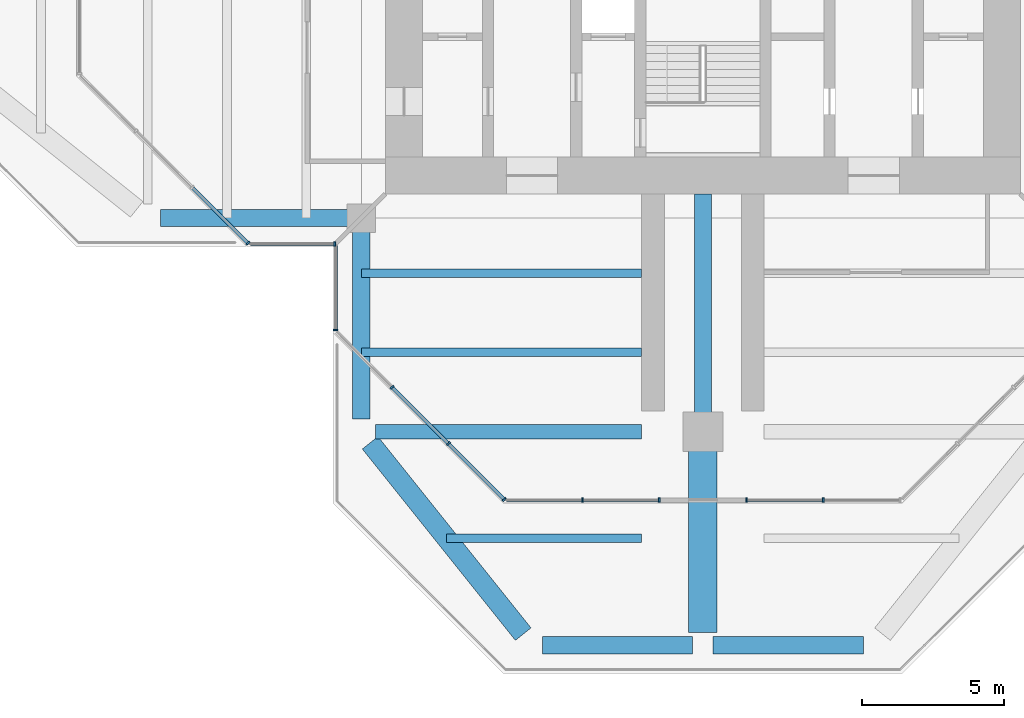
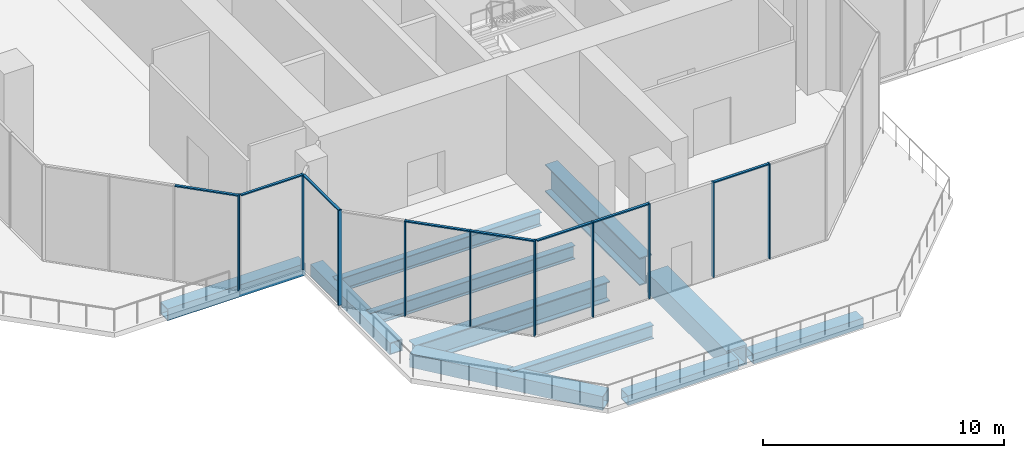
# One storey, part 2 of 13: 18 members, 11 beams, 6 elements without a shape of their own.
"""IFC4 building model written with IfcOpenShell, lengths in metres."""

import ifcopenshell
import ifcopenshell.guid

model = None  # the IFC model being written
_history = None  # IfcOwnerHistory: only IFC2X3 demands one
_inside = {}  # id of a spatial element -> (the spatial element, [elements in it])
_under = {}  # id of a project, library or spatial element -> (it, [spatial elements below it])
_declared = {}  # id of a project -> (the project, [libraries it declares])
_typed = {}  # id of a type object -> (the type object, [elements of that type])
_made_of = {}  # id of a material, layer set ... -> (it, [elements and type objects made of it])


def new_model(schema):
    """Start an empty IFC model of exactly this schema.

    Asked for "IFC4X3", IfcOpenShell would pick the latest addendum, in which some entities
    have other attributes; the version numbers below select the first issue.
    IFC2X3 requires an IfcOwnerHistory on every rooted entity: one is made here for all.
    """
    global model, _history
    if schema == "IFC4X3":
        model = ifcopenshell.file(schema_version=(4, 3, 0, 0))
    else:
        model = ifcopenshell.file(schema=schema)
    _inside.clear()
    _under.clear()
    _declared.clear()
    _typed.clear()
    _made_of.clear()
    _history = None
    if model.schema == "IFC2X3":
        org = make("IfcOrganization", Name="unknown")
        user = make(
            "IfcPersonAndOrganization",
            ThePerson=make("IfcPerson", FamilyName="unknown"),
            TheOrganization=org,
        )
        app = make(
            "IfcApplication",
            ApplicationDeveloper=org,
            Version="unknown",
            ApplicationFullName="unknown",
            ApplicationIdentifier="unknown",
        )
        _history = make(
            "IfcOwnerHistory",
            OwningUser=user,
            OwningApplication=app,
            ChangeAction="ADDED",
            CreationDate=0,
        )
    return model


def make(cls, **values):
    """One entity of the class cls with the attributes given. An attribute that is None is left unset."""
    return model.create_entity(
        cls, **{name: value for name, value in values.items() if value is not None}
    )


def rooted(cls, **values):
    """An entity with a GlobalId (a new one), such as an element, a storey or a relation."""
    return make(cls, GlobalId=ifcopenshell.guid.new(), OwnerHistory=_history, **values)


def si_unit(unit_type, name, prefix=None):
    """IfcSIUnit, for example si_unit("LENGTHUNIT", "METRE", prefix="MILLI")."""
    return make("IfcSIUnit", UnitType=unit_type, Prefix=prefix, Name=name)


def assignment(units):
    """IfcUnitAssignment: the units of a project."""
    return None if units is None else make("IfcUnitAssignment", Units=units)


def point(xyz):
    """IfcCartesianPoint."""
    return None if xyz is None else make("IfcCartesianPoint", Coordinates=xyz)


def direction(xyz):
    """IfcDirection."""
    return None if xyz is None else make("IfcDirection", DirectionRatios=xyz)


def frame(location, z_axis=None, x_axis=None):
    """IfcAxis2Placement3D, a coordinate frame: its origin and axes. An axis left out is left unset."""
    return make(
        "IfcAxis2Placement3D",
        Location=point(location),
        Axis=direction(z_axis),
        RefDirection=direction(x_axis),
    )


def frame_2d(location, x_axis=None):
    """IfcAxis2Placement2D, a coordinate frame in the plane: its origin and x axis."""
    return make(
        "IfcAxis2Placement2D", Location=point(location), RefDirection=direction(x_axis)
    )


def origin():
    """The frame at (0, 0, 0) with its axes left unset."""
    return frame((0.0, 0.0, 0.0))


def origin_2d():
    """The frame at (0, 0) in the plane with its x axis left unset."""
    return frame_2d((0.0, 0.0))


def place(relative_to, where):
    """IfcLocalPlacement: puts the frame where relative to a parent placement (None: the world)."""
    return make(
        "IfcLocalPlacement", PlacementRelTo=relative_to, RelativePlacement=where
    )


def context(
    kind, dimensions, precision=None, world=None, true_north=None, identifier=None
):
    """IfcGeometricRepresentationContext, for example the 3D "Model" context."""
    return make(
        "IfcGeometricRepresentationContext",
        ContextIdentifier=identifier,
        ContextType=kind,
        CoordinateSpaceDimension=dimensions,
        Precision=precision,
        WorldCoordinateSystem=world,
        TrueNorth=true_north,
    )


def subcontext(parent, identifier, kind, view, scale=None):
    """IfcGeometricRepresentationSubContext, for example "Body" below "Model"."""
    return make(
        "IfcGeometricRepresentationSubContext",
        ContextIdentifier=identifier,
        ContextType=kind,
        ParentContext=parent,
        TargetScale=scale,
        TargetView=view,
    )


def project(units=None, contexts=None):
    """IfcProject with its units and contexts."""
    return rooted(
        "IfcProject",
        Name="project",
        RepresentationContexts=contexts,
        UnitsInContext=assignment(units),
    )


def spatial(cls, under=None, at=None, **own):
    """A site, building, storey or space (cls), placed at a placement, below another one or the project."""
    s = rooted(cls, ObjectPlacement=at, **own)
    if under is not None:
        _under.setdefault(under.id(), (under, []))[1].append(s)
    return s


def profile(cls, at=None, kind="AREA", **sizes):
    """A parametric profile (cls). Its sizes go by their IFC names, for example OverallWidth=200.0."""
    return make(cls, ProfileType=kind, Position=at, **sizes)


def rectangle(**sizes):
    """IfcRectangleProfileDef."""
    return profile("IfcRectangleProfileDef", **sizes)


def hollow_rectangle(**sizes):
    """IfcRectangleHollowProfileDef."""
    return profile("IfcRectangleHollowProfileDef", **sizes)


def i_section(**sizes):
    """IfcIShapeProfileDef."""
    return profile("IfcIShapeProfileDef", **sizes)


def extrude(swept, where, along, depth):
    """IfcExtrudedAreaSolid: the profile swept, set in the frame where, extruded along a direction by depth."""
    return make(
        "IfcExtrudedAreaSolid",
        SweptArea=swept,
        Position=where,
        ExtrudedDirection=direction(along),
        Depth=depth,
    )


def shape(context_of_items, identifier, shape_type, items):
    """IfcShapeRepresentation: the items that make up one representation, for example the "Body"."""
    return make(
        "IfcShapeRepresentation",
        ContextOfItems=context_of_items,
        RepresentationIdentifier=identifier,
        RepresentationType=shape_type,
        Items=items,
    )


def material(Name=None, Category=None):
    """IfcMaterial."""
    return make("IfcMaterial", Name=Name, Category=Category)


def material_profile(
    of_material, cross_section, Name=None, Category=None, Priority=None
):
    """IfcMaterialProfile: a cross section and its material."""
    return make(
        "IfcMaterialProfile",
        Name=Name,
        Material=of_material,
        Profile=cross_section,
        Priority=Priority,
        Category=Category,
    )


def profile_set(profiles, Name=None, composite=None):
    """IfcMaterialProfileSet."""
    return make(
        "IfcMaterialProfileSet",
        Name=Name,
        MaterialProfiles=profiles,
        CompositeProfile=composite,
    )


def made_of(thing, what):
    """Note that an element or type object is made of a material, layer set ...; save() writes the relation."""
    if what is not None:
        _made_of.setdefault(what.id(), (what, []))[1].append(thing)
    return thing


def type_object(cls, material=None, **own):
    """A type object (cls), such as IfcWallType, which elements share."""
    return made_of(rooted(cls, **own), material)


def element(
    cls,
    number,
    at=None,
    inside=None,
    cuts=None,
    type_object=None,
    material=None,
    context=None,
    identifier="Body",
    shape_type=None,
    held_by="IfcProductDefinitionShape",
    body=None,
    shapes=None,
    **own,
):
    """One element of the class cls, such as IfcWall. Its Tag is "e" and its number.

    at: its placement. inside: the storey or other place that contains it. cuts: it is an
    opening in that element (IfcRelVoidsElement). A single representation is given by context,
    identifier, shape_type and body (its items); several are given by shapes. held_by: the class
    of the entity that holds the representations. save() writes the other relations.
    """
    e = rooted(cls, Tag="e%d" % number, ObjectPlacement=at, **own)
    if body is not None:
        shapes = [shape(context, identifier, shape_type, body)]
    if shapes is not None:
        e.Representation = make(held_by, Representations=shapes)
    if inside is not None:
        _inside.setdefault(inside.id(), (inside, []))[1].append(e)
    if cuts is not None:
        rooted(
            "IfcRelVoidsElement", RelatingBuildingElement=cuts, RelatedOpeningElement=e
        )
    if type_object is not None:
        _typed.setdefault(type_object.id(), (type_object, []))[1].append(e)
    return made_of(e, material)


def aggregate(whole, parts):
    """IfcRelAggregates: a whole, such as a stair, and the parts it consists of."""
    return rooted("IfcRelAggregates", RelatingObject=whole, RelatedObjects=parts)


def save(model, path):
    """Write the relations noted so far, then the file.

    IfcRelAggregates (storeys below a building ...), IfcRelContainedInSpatialStructure (elements
    in a storey), IfcRelDefinesByType, IfcRelAssociatesMaterial and IfcRelDeclares: one each for
    every whole, place, type object, material and project.
    """
    for whole, parts in _under.values():
        aggregate(whole, parts)
    for where, things in _inside.values():
        rooted(
            "IfcRelContainedInSpatialStructure",
            RelatedElements=things,
            RelatingStructure=where,
        )
    for kind, things in _typed.values():
        rooted("IfcRelDefinesByType", RelatedObjects=things, RelatingType=kind)
    for what, things in _made_of.values():
        rooted("IfcRelAssociatesMaterial", RelatedObjects=things, RelatingMaterial=what)
    for by, libraries in _declared.values():
        rooted("IfcRelDeclares", RelatingContext=by, RelatedDefinitions=libraries)
    model.write(path)


model = new_model("IFC4")

# Units and contexts
model_context = context("Model", 3, precision=1e-05, world=origin(), true_north=direction((0.0, 1.0)))
body_context = subcontext(model_context, "Body", "Model", "MODEL_VIEW")
ifc_project = project(units=[si_unit("LENGTHUNIT", "METRE"), si_unit("AREAUNIT", "SQUARE_METRE"), si_unit("VOLUMEUNIT", "CUBIC_METRE"), si_unit("PLANEANGLEUNIT", "RADIAN"), si_unit("MASSUNIT", "GRAM", prefix="KILO")], contexts=[model_context])

# Site, building, storey
site_placement = place(None, origin())
site = spatial("IfcSite", under=ifc_project, at=site_placement, CompositionType="ELEMENT")
building_placement = place(site_placement, origin())
building = spatial("IfcBuilding", under=site, at=building_placement, Name="Mizan Broadcast Tower", CompositionType="ELEMENT")
storey_placement = place(building_placement, frame((0.0, 0.0, 306.300048828125)))
storey = spatial("IfcBuildingStorey", under=building, at=storey_placement, Name="L73", CompositionType="ELEMENT", Elevation=306.300048828125)

# Beams
ifc_material_1 = material(Name="Steel S355", Category="steel")
ifc_material_profile_1 = material_profile(ifc_material_1, hollow_rectangle(XDim=0.60009765625, YDim=0.5, WallThickness=0.030029296875, at=origin_2d()), Name="BOX 500x600x30")
ifc_profile_set_1 = profile_set([ifc_material_profile_1], Name="Steel S355")
beam_type_1 = type_object("IfcBeamType", Name="EDGE BEAM BOX 500x600x30", PredefinedType="SPANDREL", material=ifc_profile_set_1)
for number, where, z_axis, x_axis, name in (
    (1, (-5.639892578125, -27.0, -0.5), (1.0, 0.0, 0.0), (0.0, 1.0, 0.0), "Edge beam BOX 500x600x30 L73 south arm"),
    (2, (5.639892578125, -27.0, -0.5), (-1.0, 0.0, 0.0), (0.0, -1.0, 0.0), "Edge beam BOX 500x600x30 L73 south arm"),
):
    element("IfcBeam", number, at=place(storey_placement, frame(where, z_axis=z_axis, x_axis=x_axis)), inside=storey, type_object=beam_type_1, Name=name, PredefinedType="SPANDREL", context=body_context, shape_type="SweptSolid", body=[
        extrude(hollow_rectangle(XDim=0.60009765625, YDim=0.5, WallThickness=0.030029296875, at=origin_2d()), origin(), (0.0, 0.0, 1.0), 5.27978515625),
    ])
ifc_material_2 = material(Name="Steel S355", Category="steel")
ifc_material_profile_2 = material_profile(ifc_material_2, hollow_rectangle(XDim=0.60009765625, YDim=0.60009765625, WallThickness=0.0400390625, at=origin_2d()), Name="BOX 600x600x40")
ifc_profile_set_2 = profile_set([ifc_material_profile_2], Name="Steel S355")
beam_type_2 = type_object("IfcBeamType", Name="EDGE BEAM BOX 600x600x40", PredefinedType="SPANDREL", material=ifc_profile_set_2)
for number, where, z_axis, x_axis, name in (
    (3, (-12.449951171875, -12.0, -0.550048828125), (-1.0, 0.0, 0.0), (0.0, -1.0, 0.0), "Edge beam BOX 600x600x40 L73 west arm"),
    (4, (-12.0, -12.449951171875, -0.550048828125), (0.0, -1.0, 0.0), (1.0, 0.0, 0.0), "Edge beam BOX 600x600x40 L73 south arm"),
):
    element("IfcBeam", number, at=place(storey_placement, frame(where, z_axis=z_axis, x_axis=x_axis)), inside=storey, type_object=beam_type_2, Name=name, PredefinedType="SPANDREL", context=body_context, shape_type="SweptSolid", body=[
        extrude(hollow_rectangle(XDim=0.60009765625, YDim=0.60009765625, WallThickness=0.0400390625, at=origin_2d()), origin(), (0.0, 0.0, 1.0), 6.60009765625),
    ])
ifc_material_3 = material(Name="Steel S355", Category="steel")
ifc_material_profile_3 = material_profile(ifc_material_3, hollow_rectangle(XDim=0.699951171875, YDim=0.699951171875, WallThickness=0.0400390625, at=origin_2d()), Name="BOX 700x700x40")
ifc_profile_set_3 = profile_set([ifc_material_profile_3], Name="Steel S355")
beam_type_3 = type_object("IfcBeamType", Name="EDGE BEAM BOX 700x700x40", PredefinedType="SPANDREL", material=ifc_profile_set_3)
beam_1_placement = place(storey_placement, frame((-11.687744140625, -19.890380859375, -0.60009765625), z_axis=(0.62470196761, -0.780863273348, 0.0), x_axis=(0.780863273348, 0.62470196761, 0.0)))
element("IfcBeam", 5, at=beam_1_placement, inside=storey, type_object=beam_type_3, Name="Edge beam BOX 700x700x40 L73 south arm", PredefinedType="SPANDREL", context=body_context, shape_type="SweptSolid", body=[
    extrude(hollow_rectangle(XDim=0.699951171875, YDim=0.699951171875, WallThickness=0.0400390625, at=origin_2d()), origin(), (0.0, 0.0, 1.0), 8.60498046875),
])
ifc_material_4 = material(Name="Steel S460", Category="steel")
ifc_material_profile_4 = material_profile(ifc_material_4, hollow_rectangle(XDim=1.0, YDim=1.0, WallThickness=0.080078125, at=origin_2d()), Name="BOX 1000x1000x80")
ifc_profile_set_4 = profile_set([ifc_material_profile_4], Name="Steel S460")
beam_type_4 = type_object("IfcBeamType", Name="GIRDER BOX 1000x1000x80", PredefinedType="BEAM", material=ifc_profile_set_4)
beam_2_placement = place(storey_placement, frame((0.0, -19.949951171875, -0.75), z_axis=(0.0, -1.0, 0.0), x_axis=(1.0, 0.0, 0.0)))
element("IfcBeam", 6, at=beam_2_placement, inside=storey, type_object=beam_type_4, Name="Girder BOX 1000x1000x80 L73 south arm", PredefinedType="BEAM", context=body_context, shape_type="SweptSolid", body=[
    extrude(hollow_rectangle(XDim=1.0, YDim=1.0, WallThickness=0.080078125, at=origin_2d()), origin(), (0.0, 0.0, 1.0), 6.60009765625),
])
ifc_material_5 = material(Name="Steel S460", Category="steel")
ifc_material_profile_5 = material_profile(ifc_material_5, i_section(OverallWidth=0.5, OverallDepth=1.0, WebThickness=0.02490234375, FlangeThickness=0.050048828125, at=origin_2d()), Name="WPG 1000x500")
ifc_profile_set_5 = profile_set([ifc_material_profile_5], Name="Steel S460")
beam_type_5 = type_object("IfcBeamType", Name="GIRDER WPG 1000x500", PredefinedType="BEAM", material=ifc_profile_set_5)
beam_3_placement = place(storey_placement, frame((-11.5, -19.5, -0.75), z_axis=(1.0, 0.0, 0.0), x_axis=(0.0, 1.0, 0.0)))
element("IfcBeam", 7, at=beam_3_placement, inside=storey, type_object=beam_type_5, Name="Girder WPG 1000x500 L73 south arm", PredefinedType="BEAM", context=body_context, shape_type="SweptSolid", body=[
    extrude(i_section(OverallWidth=0.5, OverallDepth=1.0, WebThickness=0.02490234375, FlangeThickness=0.050048828125, at=origin_2d()), origin(), (0.0, 0.0, 1.0), 9.35009765625),
])
ifc_material_6 = material(Name="Steel S460", Category="steel")
ifc_material_profile_6 = material_profile(ifc_material_6, i_section(OverallWidth=0.60009765625, OverallDepth=1.39990234375, WebThickness=0.02490234375, FlangeThickness=0.06005859375, at=origin_2d()), Name="WPG 1400x600")
ifc_profile_set_6 = profile_set([ifc_material_profile_6], Name="Steel S460")
beam_type_6 = type_object("IfcBeamType", Name="GIRDER WPG 1400x600", PredefinedType="BEAM", material=ifc_profile_set_6)
beam_4_placement = place(storey_placement, frame((0.0, -11.14990234375, -0.880126953125), z_axis=(0.0, -1.0, 0.0), x_axis=(1.0, 0.0, 0.0)))
element("IfcBeam", 8, at=beam_4_placement, inside=storey, type_object=beam_type_6, Name="Girder WPG 1400x600 L73 south arm", PredefinedType="BEAM", context=body_context, shape_type="SweptSolid", body=[
    extrude(i_section(OverallWidth=0.60009765625, OverallDepth=1.39990234375, WebThickness=0.02490234375, FlangeThickness=0.06005859375, at=origin_2d()), origin(), (0.0, 0.0, 1.0), 7.84912109375),
])

# Curtain wall, member
ifc_material_7 = material(Name="Aluminium framed glazing", Category="aluminium")
curtain_wall_type = type_object("IfcCurtainWallType", Name="LANTERN", PredefinedType="USERDEFINED", material=ifc_material_7)
curtain_wall_1_placement = place(storey_placement, origin())
curtain_wall_1 = element("IfcCurtainWall", 9, at=curtain_wall_1_placement, inside=storey, type_object=curtain_wall_type, Name="Lantern L73 W chamfer", ObjectType="LANTERN", PredefinedType="USERDEFINED")
ifc_material_8 = material(Name="Aluminium, pale anodised", Category="aluminium")
ifc_material_profile_7 = material_profile(ifc_material_8, rectangle(XDim=0.159912109375, YDim=0.06005859375, at=origin_2d()), Name="MULLION 160x60")
ifc_profile_set_7 = profile_set([ifc_material_profile_7], Name="Aluminium, pale anodised")
member_type_1 = type_object("IfcMemberType", Name="INNER SKIN MULLION 60x160", PredefinedType="MULLION", material=ifc_profile_set_7)
member_1_placement = place(storey_placement, frame((-15.979736328125, -12.87890625, 0.0), z_axis=(0.0, 0.0, 1.0), x_axis=(0.707106781187, 0.707106781187, 0.0)))
member_1 = element("IfcMember", 10, at=member_1_placement, type_object=member_type_1, Name="Lantern L73 W chamfer mullion 4", PredefinedType="MULLION", context=body_context, shape_type="SweptSolid", body=[
    extrude(rectangle(XDim=0.159912109375, YDim=0.06005859375, at=origin_2d()), origin(), (0.0, 0.0, 1.0), 4.820068359375),
])

curtain_wall_2_placement = place(storey_placement, origin())
curtain_wall_2 = element("IfcCurtainWall", 11, at=curtain_wall_2_placement, inside=storey, type_object=curtain_wall_type, Name="Lantern L73 W side", ObjectType="LANTERN", PredefinedType="USERDEFINED")
member_2_placement = place(storey_placement, frame((-12.929931640625, -12.89990234375, 0.0), z_axis=(0.0, 0.0, 1.0), x_axis=(0.0, 1.0, 0.0)))
member_2 = element("IfcMember", 12, at=member_2_placement, type_object=member_type_1, Name="Lantern L73 W side mullion 2", PredefinedType="MULLION", context=body_context, shape_type="SweptSolid", body=[
    extrude(rectangle(XDim=0.159912109375, YDim=0.06005859375, at=origin_2d()), origin(), (0.0, 0.0, 1.0), 4.820068359375),
])

curtain_wall_3_placement = place(storey_placement, origin())
curtain_wall_3 = element("IfcCurtainWall", 13, at=curtain_wall_3_placement, inside=storey, type_object=curtain_wall_type, Name="Lantern L73 S side", ObjectType="LANTERN", PredefinedType="USERDEFINED")
member_3_placement = place(storey_placement, frame((-12.89990234375, -15.928466796875, 0.0), z_axis=(0.0, 0.0, 1.0), x_axis=(1.0, 0.0, 0.0)))
member_3 = element("IfcMember", 14, at=member_3_placement, type_object=member_type_1, Name="Lantern L73 S side mullion 2", PredefinedType="MULLION", context=body_context, shape_type="SweptSolid", body=[
    extrude(rectangle(XDim=0.159912109375, YDim=0.06005859375, at=origin_2d()), origin(), (0.0, 0.0, 1.0), 4.820068359375),
])

# Curtain wall, members
curtain_wall_4_placement = place(storey_placement, origin())
curtain_wall_4 = element("IfcCurtainWall", 15, at=curtain_wall_4_placement, inside=storey, type_object=curtain_wall_type, Name="Lantern L73 S chamfer", ObjectType="LANTERN", PredefinedType="USERDEFINED")
member_4_placement = place(storey_placement, frame((-10.91943359375, -17.93896484375, 0.0), z_axis=(0.0, 0.0, 1.0), x_axis=(0.707106781187, 0.707106781187, 0.0)))
member_4 = element("IfcMember", 16, at=member_4_placement, type_object=member_type_1, Name="Lantern L73 S chamfer mullion 2", PredefinedType="MULLION", context=body_context, shape_type="SweptSolid", body=[
    extrude(rectangle(XDim=0.159912109375, YDim=0.06005859375, at=origin_2d()), origin(), (0.0, 0.0, 1.0), 4.820068359375),
])
member_5_placement = place(storey_placement, frame((-8.93896484375, -19.91943359375, 0.0), z_axis=(0.0, 0.0, 1.0), x_axis=(0.707106781187, 0.707106781187, 0.0)))
member_5 = element("IfcMember", 17, at=member_5_placement, type_object=member_type_1, Name="Lantern L73 S chamfer mullion 3", PredefinedType="MULLION", context=body_context, shape_type="SweptSolid", body=[
    extrude(rectangle(XDim=0.159912109375, YDim=0.06005859375, at=origin_2d()), origin(), (0.0, 0.0, 1.0), 4.820068359375),
])
member_6_placement = place(storey_placement, frame((-6.979736328125, -21.87890625, 0.0), z_axis=(0.0, 0.0, 1.0), x_axis=(0.707106781187, 0.707106781187, 0.0)))
member_6 = element("IfcMember", 18, at=member_6_placement, type_object=member_type_1, Name="Lantern L73 S chamfer mullion 4", PredefinedType="MULLION", context=body_context, shape_type="SweptSolid", body=[
    extrude(rectangle(XDim=0.159912109375, YDim=0.06005859375, at=origin_2d()), origin(), (0.0, 0.0, 1.0), 4.820068359375),
])

curtain_wall_5_placement = place(storey_placement, origin())
curtain_wall_5 = element("IfcCurtainWall", 19, at=curtain_wall_5_placement, inside=storey, type_object=curtain_wall_type, Name="Lantern L73 S end", ObjectType="LANTERN", PredefinedType="USERDEFINED")
member_7_placement = place(storey_placement, frame((-4.229248046875, -21.89990234375, 0.0), z_axis=(0.0, 0.0, 1.0), x_axis=(0.0, 1.0, 0.0)))
member_7 = element("IfcMember", 20, at=member_7_placement, type_object=member_type_1, Name="Lantern L73 S end mullion 2", PredefinedType="MULLION", context=body_context, shape_type="SweptSolid", body=[
    extrude(rectangle(XDim=0.159912109375, YDim=0.06005859375, at=origin_2d()), origin(), (0.0, 0.0, 1.0), 4.820068359375),
])
member_8_placement = place(storey_placement, frame((-1.530029296875, -21.89990234375, 0.0), z_axis=(0.0, 0.0, 1.0), x_axis=(0.0, 1.0, 0.0)))
member_8 = element("IfcMember", 21, at=member_8_placement, type_object=member_type_1, Name="Lantern L73 S end mullion 3", PredefinedType="MULLION", context=body_context, shape_type="SweptSolid", body=[
    extrude(rectangle(XDim=0.159912109375, YDim=0.06005859375, at=origin_2d()), origin(), (0.0, 0.0, 1.0), 4.820068359375),
])

curtain_wall_6_placement = place(storey_placement, origin())
curtain_wall_6 = element("IfcCurtainWall", 22, at=curtain_wall_6_placement, inside=storey, type_object=curtain_wall_type, Name="Lantern L73 S end", ObjectType="LANTERN", PredefinedType="USERDEFINED")
member_9_placement = place(storey_placement, frame((1.530029296875, -21.89990234375, 0.0), z_axis=(0.0, 0.0, 1.0), x_axis=(0.0, 1.0, 0.0)))
member_9 = element("IfcMember", 23, at=member_9_placement, type_object=member_type_1, Name="Lantern L73 S end mullion 1", PredefinedType="MULLION", context=body_context, shape_type="SweptSolid", body=[
    extrude(rectangle(XDim=0.159912109375, YDim=0.06005859375, at=origin_2d()), origin(), (0.0, 0.0, 1.0), 4.820068359375),
])
member_10_placement = place(storey_placement, frame((4.229248046875, -21.89990234375, 0.0), z_axis=(0.0, 0.0, 1.0), x_axis=(0.0, 1.0, 0.0)))
member_10 = element("IfcMember", 24, at=member_10_placement, type_object=member_type_1, Name="Lantern L73 S end mullion 2", PredefinedType="MULLION", context=body_context, shape_type="SweptSolid", body=[
    extrude(rectangle(XDim=0.159912109375, YDim=0.06005859375, at=origin_2d()), origin(), (0.0, 0.0, 1.0), 4.820068359375),
])

# Member
ifc_material_9 = material(Name="Aluminium, pale anodised", Category="aluminium")
ifc_material_profile_8 = material_profile(ifc_material_9, rectangle(XDim=0.1201171875, YDim=0.06005859375, at=origin_2d()), Name="TRANSOM 120x60")
ifc_profile_set_8 = profile_set([ifc_material_profile_8], Name="Aluminium, pale anodised")
member_type_2 = type_object("IfcMemberType", Name="INNER SKIN TRANSOM 60x120", PredefinedType="USERDEFINED", material=ifc_profile_set_8)
member_11_placement = place(storey_placement, frame((-17.917724609375, -10.940673828125, 4.7900390625), z_axis=(0.707061749709, -0.707151809797, 0.0), x_axis=(0.707151809797, 0.707061749709, 0.0)))
member_11 = element("IfcMember", 25, at=member_11_placement, type_object=member_type_2, Name="Lantern L73 W chamfer transom 3.1", ObjectType="TRANSOM", PredefinedType="USERDEFINED", context=body_context, shape_type="SweptSolid", body=[
    extrude(rectangle(XDim=0.1201171875, YDim=0.06005859375, at=origin_2d()), origin(), (0.0, 0.0, 1.0), 2.7109375),
])

aggregate(curtain_wall_1, [member_1, member_11])

member_12_placement = place(storey_placement, frame((-15.898681640625, -12.89990234375, 4.7900390625), z_axis=(1.0, 0.0, 0.0), x_axis=(0.0, 1.0, 0.0)))
member_12 = element("IfcMember", 26, at=member_12_placement, type_object=member_type_2, Name="Lantern L73 W side transom 1.1", ObjectType="TRANSOM", PredefinedType="USERDEFINED", context=body_context, shape_type="SweptSolid", body=[
    extrude(rectangle(XDim=0.1201171875, YDim=0.06005859375, at=origin_2d()), origin(), (0.0, 0.0, 1.0), 2.938720703125),
])

aggregate(curtain_wall_2, [member_2, member_12])

member_13_placement = place(storey_placement, frame((-12.89990234375, -12.9599609375, 4.7900390625), z_axis=(0.0, -1.0, 0.0), x_axis=(1.0, 0.0, 0.0)))
member_13 = element("IfcMember", 27, at=member_13_placement, type_object=member_type_2, Name="Lantern L73 S side transom 1.1", ObjectType="TRANSOM", PredefinedType="USERDEFINED", context=body_context, shape_type="SweptSolid", body=[
    extrude(rectangle(XDim=0.1201171875, YDim=0.06005859375, at=origin_2d()), origin(), (0.0, 0.0, 1.0), 2.938720703125),
])

aggregate(curtain_wall_3, [member_3, member_13])

member_14_placement = place(storey_placement, frame((-10.898193359375, -17.960205078125, 4.7900390625), z_axis=(0.707106781187, -0.707106781187, 0.0), x_axis=(0.707106781187, 0.707106781187, 0.0)))
member_14 = element("IfcMember", 28, at=member_14_placement, type_object=member_type_2, Name="Lantern L73 S chamfer transom 2.1", ObjectType="TRANSOM", PredefinedType="USERDEFINED", context=body_context, shape_type="SweptSolid", body=[
    extrude(rectangle(XDim=0.1201171875, YDim=0.06005859375, at=origin_2d()), origin(), (0.0, 0.0, 1.0), 2.74072265625),
])

member_15_placement = place(storey_placement, frame((-8.917724609375, -19.940673828125, 4.7900390625), z_axis=(0.707061749709, -0.707151809797, 0.0), x_axis=(0.707151809797, 0.707061749709, 0.0)))
member_15 = element("IfcMember", 29, at=member_15_placement, type_object=member_type_2, Name="Lantern L73 S chamfer transom 3.1", ObjectType="TRANSOM", PredefinedType="USERDEFINED", context=body_context, shape_type="SweptSolid", body=[
    extrude(rectangle(XDim=0.1201171875, YDim=0.06005859375, at=origin_2d()), origin(), (0.0, 0.0, 1.0), 2.7109375),
])

aggregate(curtain_wall_4, [member_4, member_5, member_6, member_14, member_15])

member_16_placement = place(storey_placement, frame((-6.898681640625, -21.89990234375, 4.7900390625), z_axis=(1.0, 0.0, 0.0), x_axis=(0.0, 1.0, 0.0)))
member_16 = element("IfcMember", 30, at=member_16_placement, type_object=member_type_2, Name="Lantern L73 S end transom 1.1", ObjectType="TRANSOM", PredefinedType="USERDEFINED", context=body_context, shape_type="SweptSolid", body=[
    extrude(rectangle(XDim=0.1201171875, YDim=0.06005859375, at=origin_2d()), origin(), (0.0, 0.0, 1.0), 2.639404296875),
])

member_17_placement = place(storey_placement, frame((-4.19921875, -21.89990234375, 4.7900390625), z_axis=(1.0, 0.0, 0.0), x_axis=(0.0, 1.0, 0.0)))
member_17 = element("IfcMember", 31, at=member_17_placement, type_object=member_type_2, Name="Lantern L73 S end transom 2.1", ObjectType="TRANSOM", PredefinedType="USERDEFINED", context=body_context, shape_type="SweptSolid", body=[
    extrude(rectangle(XDim=0.1201171875, YDim=0.06005859375, at=origin_2d()), origin(), (0.0, 0.0, 1.0), 2.63916015625),
])

aggregate(curtain_wall_5, [member_7, member_8, member_16, member_17])

member_18_placement = place(storey_placement, frame((1.56005859375, -21.89990234375, 4.7900390625), z_axis=(1.0, 0.0, 0.0), x_axis=(0.0, 1.0, 0.0)))
member_18 = element("IfcMember", 32, at=member_18_placement, type_object=member_type_2, Name="Lantern L73 S end transom 1.1", ObjectType="TRANSOM", PredefinedType="USERDEFINED", context=body_context, shape_type="SweptSolid", body=[
    extrude(rectangle(XDim=0.1201171875, YDim=0.06005859375, at=origin_2d()), origin(), (0.0, 0.0, 1.0), 2.63916015625),
])

aggregate(curtain_wall_6, [member_9, member_10, member_18])

# Beams
ifc_material_10 = material(Name="Steel S355", Category="steel")
ifc_material_profile_9 = material_profile(ifc_material_10, i_section(OverallWidth=0.300048828125, OverallDepth=0.68994140625, WebThickness=0.014404296875, FlangeThickness=0.027099609375, FilletRadius=0.027099609375, at=origin_2d()), Name="HEA 700")
ifc_profile_set_9 = profile_set([ifc_material_profile_9], Name="Steel S355")
beam_type_7 = type_object("IfcBeamType", Name="SECONDARY BEAM HEA 700", PredefinedType="JOIST", material=ifc_profile_set_9)
for number, where, z_axis, x_axis, name in (
    (33, (-12.0, -13.933349609375, -0.525146484375), (1.0, 0.0, 0.0), (0.0, 1.0, 0.0), "Secondary beam HEA 700 L73 south arm"),
    (34, (-12.0, -16.716552734375, -0.525146484375), (1.0, 0.0, 0.0), (0.0, 1.0, 0.0), "Secondary beam HEA 700 L73 south arm"),
):
    element("IfcBeam", number, at=place(storey_placement, frame(where, z_axis=z_axis, x_axis=x_axis)), inside=storey, type_object=beam_type_7, Name=name, PredefinedType="JOIST", context=body_context, shape_type="SweptSolid", body=[
        extrude(i_section(OverallWidth=0.300048828125, OverallDepth=0.68994140625, WebThickness=0.014404296875, FlangeThickness=0.027099609375, FilletRadius=0.027099609375, at=origin_2d()), origin(), (0.0, 0.0, 1.0), 9.85009765625),
    ])
beam_5_placement = place(storey_placement, frame((-9.0, -23.25, -0.594970703125), z_axis=(1.0, 0.0, 0.0), x_axis=(0.0, 1.0, 0.0)))
element("IfcBeam", 35, at=beam_5_placement, inside=storey, type_object=beam_type_7, Name="Secondary beam HEA 700 L73 south arm", PredefinedType="JOIST", context=body_context, shape_type="SweptSolid", body=[
    extrude(i_section(OverallWidth=0.300048828125, OverallDepth=0.68994140625, WebThickness=0.014404296875, FlangeThickness=0.027099609375, FilletRadius=0.027099609375, at=origin_2d()), origin(), (0.0, 0.0, 1.0), 6.85009765625),
])

save(model, "model.ifc")
